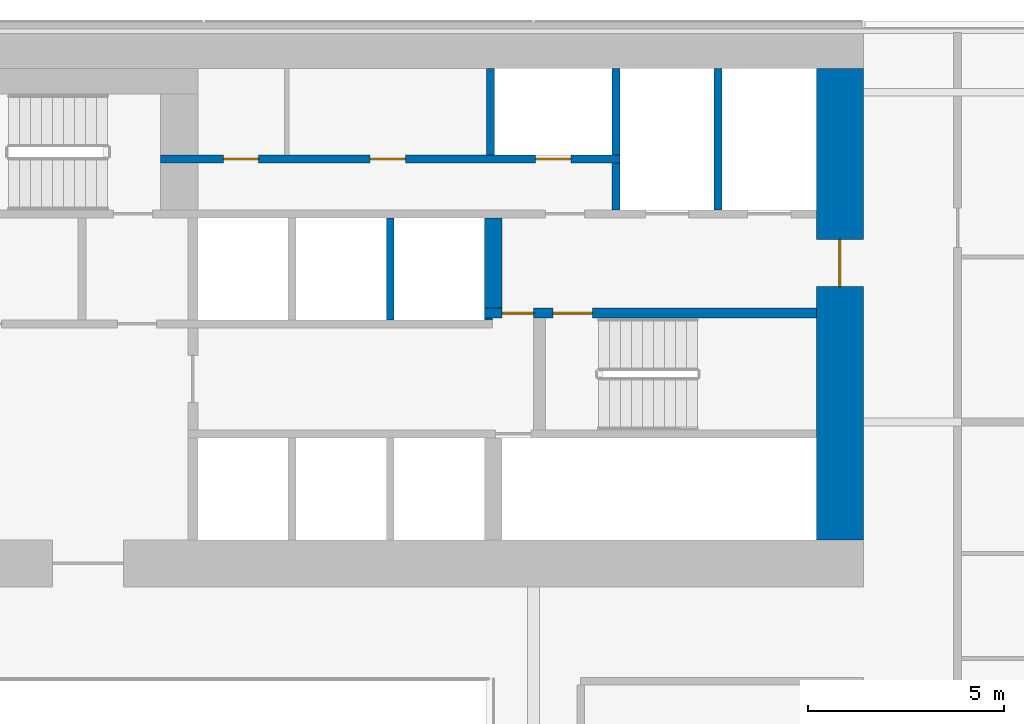
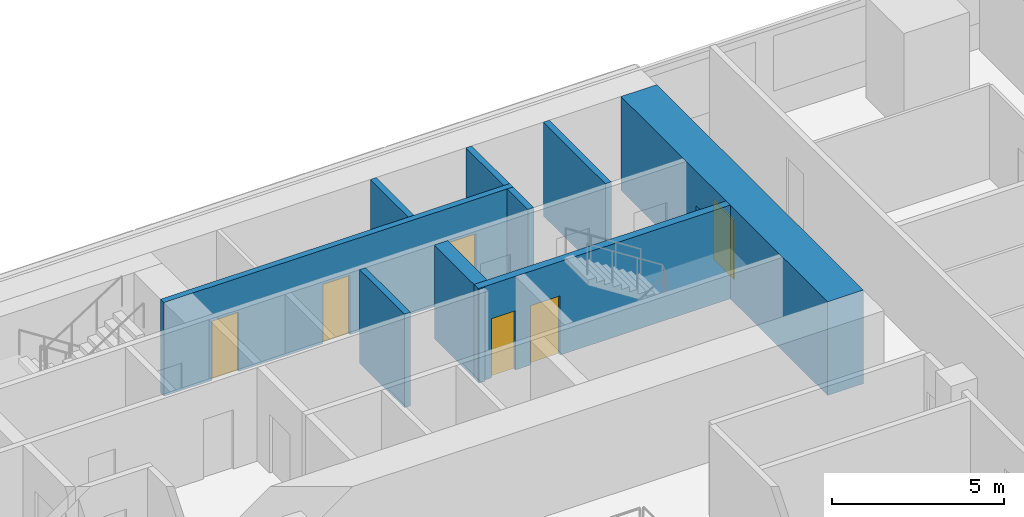
# One storey, part 23 of 29: 10 walls, 6 doors, 6 openings.
"""IFC4 building model written with IfcOpenShell, lengths in metres."""

from ifc_helpers import new_model, si_unit, direction, frame, frame_2d, origin, place, context, subcontext, project, spatial, rectangle, extrude, material, layer, layer_set, type_object, element, fill, save


model = new_model("IFC4")

# Units and contexts
model_context = context("Model", 3, precision=1e-05, world=origin(), true_north=direction((0.0, 1.0)))
body_context = subcontext(model_context, "Body", "Model", "MODEL_VIEW")
ifc_project = project(units=[si_unit("LENGTHUNIT", "METRE"), si_unit("AREAUNIT", "SQUARE_METRE"), si_unit("VOLUMEUNIT", "CUBIC_METRE"), si_unit("PLANEANGLEUNIT", "RADIAN"), si_unit("MASSUNIT", "GRAM", prefix="KILO")], contexts=[model_context])

# Site, building, storey
site_placement = place(None, origin())
site = spatial("IfcSite", under=ifc_project, at=site_placement, CompositionType="ELEMENT")
building_placement = place(site_placement, origin())
building = spatial("IfcBuilding", under=site, at=building_placement, Name="Saffron Gate Tower", CompositionType="ELEMENT")
storey_placement = place(building_placement, frame((0.0, 0.0, 55.199951171875)))
storey = spatial("IfcBuildingStorey", under=building, at=storey_placement, Name="L12", CompositionType="ELEMENT", Elevation=55.199951171875)

# Wall, opening, door
ifc_material_1 = material(Name="Concrete C70", Category="concrete")
ifc_layer_1 = layer(ifc_material_1, 1.199951171875)
ifc_layer_set_1 = layer_set([ifc_layer_1], Name="CW1 RC core wall 1200 C70")
wall_type_1 = type_object("IfcWallType", Name="CW1 RC core wall 1200 C70", PredefinedType="SOLIDWALL", material=ifc_layer_set_1)
wall_1_placement = place(storey_placement, frame((108.0, 62.39990234375, 0.0), z_axis=(0.0, 0.0, 1.0), x_axis=(0.0, 1.0, 0.0)))
wall_1 = element("IfcWall", 1, at=wall_1_placement, inside=storey, type_object=wall_type_1, Name="Wall CW1-L12-4", PredefinedType="SOLIDWALL", context=body_context, shape_type="SweptSolid", body=[
    extrude(rectangle(XDim=12.0, YDim=1.199951171875, at=frame_2d((6.0, 0.0))), origin(), (0.0, 0.0, 1.0), 3.320068359375),
])
opening_1_placement = place(wall_1_placement, frame((6.449951171875, 0.0, 0.0)))
opening_1 = element("IfcOpeningElement", 2, at=opening_1_placement, cuts=wall_1, Name="Opening CR-08", PredefinedType="OPENING", context=body_context, shape_type="SweptSolid", body=[
    extrude(rectangle(XDim=1.199951171875, YDim=2.10009765625, at=frame_2d((0.60009765625, 1.050048828125))), frame((0.0, 0.60986328125, 0.0), z_axis=(0.0, -1.0, 0.0), x_axis=(1.0, 0.0, 0.0)), (0.0, 0.0, 1.0), 1.219970703125),
])
ifc_material_2 = material(Name="Steel fire door set", Category="steel")
door_type_1 = type_object("IfcDoorType", Name="CD7 Core entrance door 1200x2100 EI 120", OperationType="NOTDEFINED", PredefinedType="DOOR", material=ifc_material_2)
door_1_placement = place(opening_1_placement, origin())
door_1 = element("IfcDoor", 3, at=door_1_placement, inside=storey, type_object=door_type_1, Name="DOOR CR-08", OperationType="SINGLE_SWING_RIGHT", OverallHeight=2.10009765625, OverallWidth=1.199951171875, PredefinedType="DOOR", context=body_context, shape_type="SweptSolid", body=[
    extrude(rectangle(XDim=1.199951171875, YDim=2.10009765625, at=frame_2d((0.60009765625, 1.050048828125))), frame((0.0, 0.02490234375, 0.0), z_axis=(0.0, -1.0, 0.0), x_axis=(1.0, 0.0, 0.0)), (0.0, 0.0, 1.0), 0.050048828125),
])
fill(opening_1, door_1)

# Wall, openings, doors
ifc_layer_2 = layer(ifc_material_1, 0.25)
ifc_layer_set_2 = layer_set([ifc_layer_2], Name="CW2 RC core wall 250 C70")
wall_type_2 = type_object("IfcWallType", Name="CW2 RC core wall 250 C70", PredefinedType="SOLIDWALL", material=ifc_layer_set_2)
wall_2_placement = place(storey_placement, frame((98.949951171875, 68.175048828125, 0.0), z_axis=(0.0, 0.0, 1.0), x_axis=(1.0, 0.0, 0.0)))
wall_2 = element("IfcWall", 4, at=wall_2_placement, inside=storey, type_object=wall_type_2, Name="Wall CW2-L12-30", PredefinedType="SOLIDWALL", context=body_context, shape_type="SweptSolid", body=[
    extrude(rectangle(XDim=8.449951171875, YDim=0.25, at=frame_2d((4.22509765625, 0.0))), origin(), (0.0, 0.0, 1.0), 3.320068359375),
])
opening_2_placement = place(wall_2_placement, frame((0.449951171875, 0.0, 0.0)))
opening_2 = element("IfcOpeningElement", 5, at=opening_2_placement, cuts=wall_2, Name="Opening CR-05", PredefinedType="OPENING", context=body_context, shape_type="SweptSolid", body=[
    extrude(rectangle(XDim=0.800048828125, YDim=2.10009765625, at=frame_2d((0.39990234375, 1.050048828125))), frame((0.0, 0.135009765625, 0.0), z_axis=(0.0, -1.0, 0.0), x_axis=(1.0, 0.0, 0.0)), (0.0, 0.0, 1.0), 0.27001953125),
])
opening_3_placement = place(wall_2_placement, frame((1.75, 0.0, 0.0)))
opening_3 = element("IfcOpeningElement", 6, at=opening_3_placement, cuts=wall_2, Name="Opening CR-16", PredefinedType="OPENING", context=body_context, shape_type="SweptSolid", body=[
    extrude(rectangle(XDim=1.0, YDim=2.10009765625, at=frame_2d((0.5, 1.050048828125))), frame((0.0, 0.135009765625, 0.0), z_axis=(0.0, -1.0, 0.0), x_axis=(1.0, 0.0, 0.0)), (0.0, 0.0, 1.0), 0.27001953125),
])
door_type_2 = type_object("IfcDoorType", Name="CD5 Stair door 1000x2100 EI 120", OperationType="NOTDEFINED", PredefinedType="DOOR", material=ifc_material_2)
door_2_placement = place(opening_3_placement, origin())
door_2 = element("IfcDoor", 7, at=door_2_placement, inside=storey, type_object=door_type_2, Name="DOOR CR-16", OperationType="SINGLE_SWING_RIGHT", OverallHeight=2.10009765625, OverallWidth=1.0, PredefinedType="DOOR", context=body_context, shape_type="SweptSolid", body=[
    extrude(rectangle(XDim=1.0, YDim=2.10009765625, at=frame_2d((0.5, 1.050048828125))), frame((0.0, 0.02490234375, 0.0), z_axis=(0.0, -1.0, 0.0), x_axis=(1.0, 0.0, 0.0)), (0.0, 0.0, 1.0), 0.050048828125),
])
fill(opening_3, door_2)
door_type_3 = type_object("IfcDoorType", Name="CD6 Lobby door 800x2100 EI 120", OperationType="NOTDEFINED", PredefinedType="DOOR", material=ifc_material_2)
door_3_placement = place(opening_2_placement, origin())
door_3 = element("IfcDoor", 8, at=door_3_placement, inside=storey, type_object=door_type_3, Name="DOOR CR-05", OperationType="SINGLE_SWING_LEFT", OverallHeight=2.10009765625, OverallWidth=0.800048828125, PredefinedType="DOOR", context=body_context, shape_type="SweptSolid", body=[
    extrude(rectangle(XDim=0.800048828125, YDim=2.10009765625, at=frame_2d((0.39990234375, 1.050048828125))), frame((0.0, 0.02490234375, 0.0), z_axis=(0.0, -1.0, 0.0), x_axis=(1.0, 0.0, 0.0)), (0.0, 0.0, 1.0), 0.050048828125),
])
fill(opening_2, door_3)

# Walls
ifc_layer_3 = layer(ifc_material_1, 0.199951171875)
ifc_layer_set_3 = layer_set([ifc_layer_3], Name="CW3 RC core wall 200 C70")
wall_type_3 = type_object("IfcWallType", Name="CW3 RC core wall 200 C70", PredefinedType="SOLIDWALL", material=ifc_layer_set_3)
wall_3_placement = place(storey_placement, frame((96.550048828125, 68.0, 0.0), z_axis=(0.0, 0.0, 1.0), x_axis=(0.0, 1.0, 0.0)))
element("IfcWall", 9, at=wall_3_placement, inside=storey, type_object=wall_type_3, Name="Wall CW3-L12-27", PredefinedType="SOLIDWALL", context=body_context, shape_type="SweptSolid", body=[
    extrude(rectangle(XDim=2.60009765625, YDim=0.199951171875, at=frame_2d((1.300048828125, 0.0))), origin(), (0.0, 0.0, 1.0), 3.320068359375),
])
wall_4_placement = place(storey_placement, frame((102.300048828125, 70.800048828125, 0.0), z_axis=(0.0, 0.0, 1.0), x_axis=(0.0, 1.0, 0.0)))
element("IfcWall", 10, at=wall_4_placement, inside=storey, type_object=wall_type_3, Name="Wall CW3-L12-38", PredefinedType="SOLIDWALL", context=body_context, shape_type="SweptSolid", body=[
    extrude(rectangle(XDim=1.199951171875, YDim=0.199951171875, at=frame_2d((0.60009765625, 0.0))), origin(), (0.0, 0.0, 1.0), 3.320068359375),
])
wall_5_placement = place(storey_placement, frame((104.89990234375, 70.800048828125, 0.0), z_axis=(0.0, 0.0, 1.0), x_axis=(0.0, 1.0, 0.0)))
element("IfcWall", 11, at=wall_5_placement, inside=storey, type_object=wall_type_3, Name="Wall CW3-L12-39", PredefinedType="SOLIDWALL", context=body_context, shape_type="SweptSolid", body=[
    extrude(rectangle(XDim=3.599853515625, YDim=0.199951171875, at=frame_2d((1.7998046875, 0.0))), origin(), (0.0, 0.0, 1.0), 3.320068359375),
])

# Wall, openings, doors
wall_6_placement = place(storey_placement, frame((90.699951171875, 72.10009765625, 0.0), z_axis=(0.0, 0.0, 1.0), x_axis=(1.0, 0.0, 0.0)))
wall_6 = element("IfcWall", 12, at=wall_6_placement, inside=storey, type_object=wall_type_3, Name="Wall CW3-L12-41", PredefinedType="SOLIDWALL", context=body_context, shape_type="SweptSolid", body=[
    extrude(rectangle(XDim=11.699951171875, YDim=0.199951171875, at=frame_2d((5.85009765625, 0.0))), origin(), (0.0, 0.0, 1.0), 3.320068359375),
])
opening_4_placement = place(wall_6_placement, frame((1.60009765625, 0.0, 0.0)))
opening_4 = element("IfcOpeningElement", 13, at=opening_4_placement, cuts=wall_6, Name="Opening CR-50", PredefinedType="OPENING", context=body_context, shape_type="SweptSolid", body=[
    extrude(rectangle(XDim=0.89990234375, YDim=2.10009765625, at=frame_2d((0.449951171875, 1.050048828125))), frame((0.0, 0.10986328125, 0.0), z_axis=(0.0, -1.0, 0.0), x_axis=(1.0, 0.0, 0.0)), (0.0, 0.0, 1.0), 0.219970703125),
])
opening_5_placement = place(wall_6_placement, frame((5.3349609375, 0.0, 0.0)))
opening_5 = element("IfcOpeningElement", 14, at=opening_5_placement, cuts=wall_6, Name="Opening CR-53", PredefinedType="OPENING", context=body_context, shape_type="SweptSolid", body=[
    extrude(rectangle(XDim=0.89990234375, YDim=2.10009765625, at=frame_2d((0.449951171875, 1.050048828125))), frame((0.0, 0.10986328125, 0.0), z_axis=(0.0, -1.0, 0.0), x_axis=(1.0, 0.0, 0.0)), (0.0, 0.0, 1.0), 0.219970703125),
])
opening_6_placement = place(wall_6_placement, frame((9.550048828125, 0.0, 0.0)))
opening_6 = element("IfcOpeningElement", 15, at=opening_6_placement, cuts=wall_6, Name="Opening CR-70", PredefinedType="OPENING", context=body_context, shape_type="SweptSolid", body=[
    extrude(rectangle(XDim=0.89990234375, YDim=2.10009765625, at=frame_2d((0.449951171875, 1.050048828125))), frame((0.0, 0.10986328125, 0.0), z_axis=(0.0, -1.0, 0.0), x_axis=(1.0, 0.0, 0.0)), (0.0, 0.0, 1.0), 0.219970703125),
])
door_type_4 = type_object("IfcDoorType", Name="CD2 Riser door 900x2100 EI 60", OperationType="NOTDEFINED", PredefinedType="DOOR", material=ifc_material_2)
door_4_placement = place(opening_6_placement, origin())
door_4 = element("IfcDoor", 16, at=door_4_placement, inside=storey, type_object=door_type_4, Name="DOOR CR-70", OperationType="SINGLE_SWING_LEFT", OverallHeight=2.10009765625, OverallWidth=0.89990234375, PredefinedType="DOOR", context=body_context, shape_type="SweptSolid", body=[
    extrude(rectangle(XDim=0.89990234375, YDim=2.10009765625, at=frame_2d((0.449951171875, 1.050048828125))), frame((0.0, 0.02490234375, 0.0), z_axis=(0.0, -1.0, 0.0), x_axis=(1.0, 0.0, 0.0)), (0.0, 0.0, 1.0), 0.050048828125),
])
fill(opening_6, door_4)
door_type_5 = type_object("IfcDoorType", Name="CD9 Room door 900x2100 EI 60", OperationType="NOTDEFINED", PredefinedType="DOOR", material=ifc_material_2)
door_5_placement = place(opening_4_placement, origin())
door_5 = element("IfcDoor", 17, at=door_5_placement, inside=storey, type_object=door_type_5, Name="DOOR CR-50", OperationType="SINGLE_SWING_LEFT", OverallHeight=2.10009765625, OverallWidth=0.89990234375, PredefinedType="DOOR", context=body_context, shape_type="SweptSolid", body=[
    extrude(rectangle(XDim=0.89990234375, YDim=2.10009765625, at=frame_2d((0.449951171875, 1.050048828125))), frame((0.0, 0.02490234375, 0.0), z_axis=(0.0, -1.0, 0.0), x_axis=(1.0, 0.0, 0.0)), (0.0, 0.0, 1.0), 0.050048828125),
])
fill(opening_4, door_5)
door_6_placement = place(opening_5_placement, origin())
door_6 = element("IfcDoor", 18, at=door_6_placement, inside=storey, type_object=door_type_5, Name="DOOR CR-53", OperationType="SINGLE_SWING_LEFT", OverallHeight=2.10009765625, OverallWidth=0.89990234375, PredefinedType="DOOR", context=body_context, shape_type="SweptSolid", body=[
    extrude(rectangle(XDim=0.89990234375, YDim=2.10009765625, at=frame_2d((0.449951171875, 1.050048828125))), frame((0.0, 0.02490234375, 0.0), z_axis=(0.0, -1.0, 0.0), x_axis=(1.0, 0.0, 0.0)), (0.0, 0.0, 1.0), 0.050048828125),
])
fill(opening_5, door_6)

# Walls
for number, where, z_axis, x_axis, name in (
    (19, (99.10009765625, 72.199951171875, 0.0), (0.0, 0.0, 1.0), (0.0, 1.0, 0.0), "Wall CW3-L12-49"),
    (20, (102.300048828125, 72.199951171875, 0.0), (0.0, 0.0, 1.0), (0.0, 1.0, 0.0), "Wall CW3-L12-50"),
):
    element("IfcWall", number, at=place(storey_placement, frame(where, z_axis=z_axis, x_axis=x_axis)), inside=storey, type_object=wall_type_3, Name=name, PredefinedType="SOLIDWALL", context=body_context, shape_type="SweptSolid", body=[
        extrude(rectangle(XDim=2.199951171875, YDim=0.199951171875, at=frame_2d((1.10009765625, 0.0))), origin(), (0.0, 0.0, 1.0), 3.320068359375),
    ])
ifc_layer_4 = layer(ifc_material_1, 0.449951171875)
ifc_layer_set_4 = layer_set([ifc_layer_4], Name="CW4 RC core wall 450 C70")
wall_type_4 = type_object("IfcWallType", Name="CW4 RC core wall 450 C70", PredefinedType="SOLIDWALL", material=ifc_layer_set_4)
wall_7_placement = place(storey_placement, frame((99.175048828125, 68.300048828125, 0.0), z_axis=(0.0, 0.0, 1.0), x_axis=(0.0, 1.0, 0.0)))
element("IfcWall", 21, at=wall_7_placement, inside=storey, type_object=wall_type_4, Name="Wall CW4-L12-32", PredefinedType="SOLIDWALL", context=body_context, shape_type="SweptSolid", body=[
    extrude(rectangle(XDim=2.300048828125, YDim=0.449951171875, at=frame_2d((1.14990234375, 0.0))), origin(), (0.0, 0.0, 1.0), 3.320068359375),
])
ifc_layer_5 = layer(ifc_material_1, 0.050048828125)
ifc_layer_set_5 = layer_set([ifc_layer_5], Name="CW6 RC core wall 50 C70")
wall_type_5 = type_object("IfcWallType", Name="CW6 RC core wall 50 C70", PredefinedType="SOLIDWALL", material=ifc_layer_set_5)
wall_8_placement = place(storey_placement, frame((98.949951171875, 68.02490234375, 0.0), z_axis=(0.0, 0.0, 1.0), x_axis=(1.0, 0.0, 0.0)))
element("IfcWall", 22, at=wall_8_placement, inside=storey, type_object=wall_type_5, Name="Wall CW6-L12-28", PredefinedType="SOLIDWALL", context=body_context, shape_type="SweptSolid", body=[
    extrude(rectangle(XDim=0.199951171875, YDim=0.050048828125, at=frame_2d((0.10009765625, 0.0))), origin(), (0.0, 0.0, 1.0), 3.320068359375),
])

save(model, "model.ifc")
